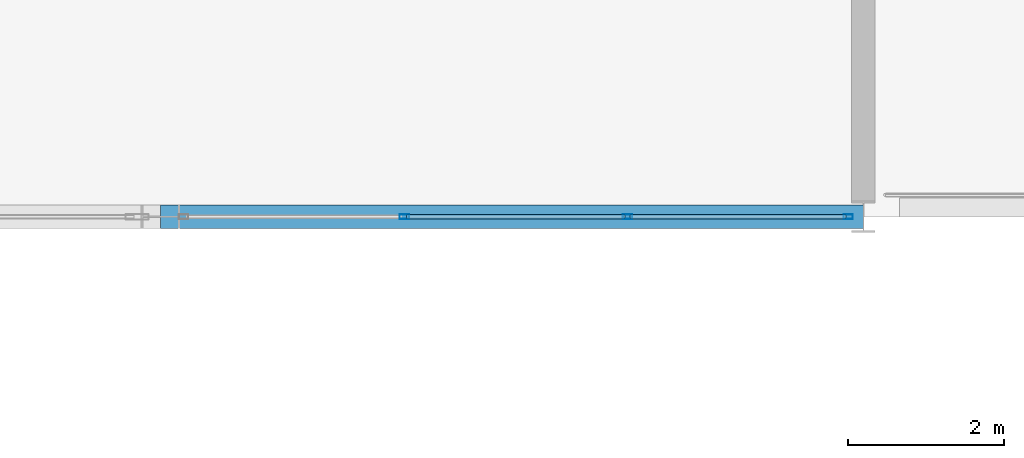
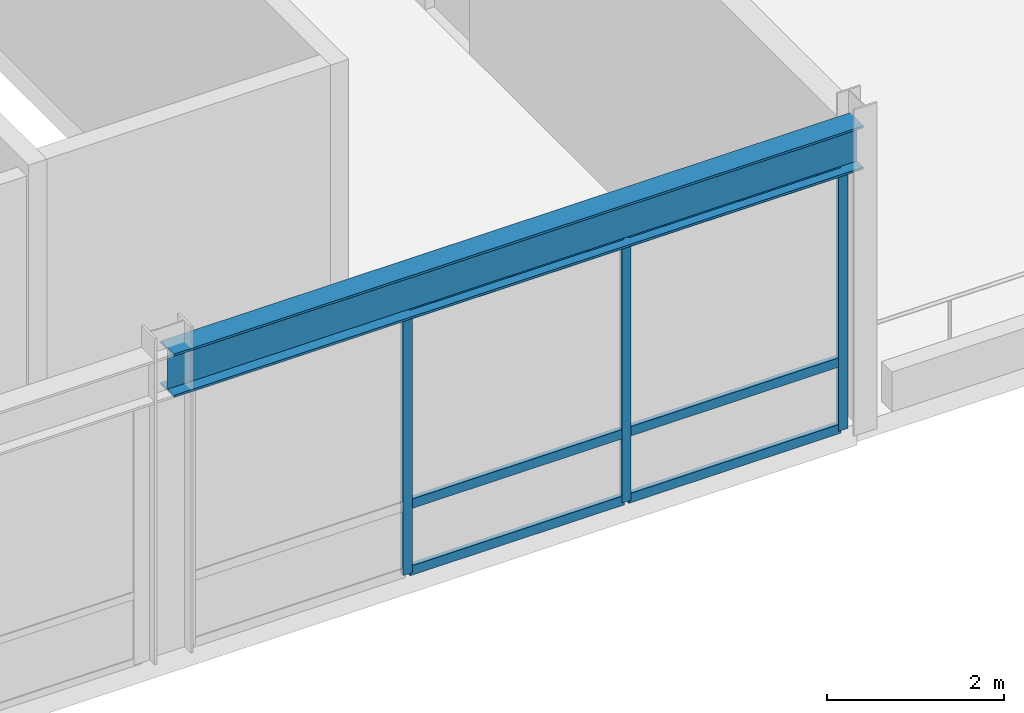
# One storey, part 36 of 67: 9 members, 1 beam, 1 element without a shape of its own.
"""IFC4 building model written with IfcOpenShell, lengths in metres."""

from ifc_helpers import new_model, si_unit, direction, frame, origin, origin_2d, place, context, subcontext, project, spatial, hollow_rectangle, i_section, extrude, material, layer, layer_set, material_profile, profile_set, type_object, element, aggregate, save


model = new_model("IFC4")

# Units and contexts
model_context = context("Model", 3, precision=1e-05, world=origin(), true_north=direction((0.0, 1.0)))
body_context = subcontext(model_context, "Body", "Model", "MODEL_VIEW")
ifc_project = project(units=[si_unit("LENGTHUNIT", "METRE"), si_unit("AREAUNIT", "SQUARE_METRE"), si_unit("VOLUMEUNIT", "CUBIC_METRE"), si_unit("PLANEANGLEUNIT", "RADIAN"), si_unit("MASSUNIT", "GRAM", prefix="KILO")], contexts=[model_context])

# Site, building, storey
site_placement = place(None, origin())
site = spatial("IfcSite", under=ifc_project, at=site_placement, CompositionType="ELEMENT")
building_placement = place(site_placement, origin())
building = spatial("IfcBuilding", under=site, at=building_placement, Name="Montelvaro Courts of Justice", CompositionType="ELEMENT")
storey_placement = place(building_placement, frame((0.0, 0.0, 18.89990234375)))
storey = spatial("IfcBuildingStorey", under=building, at=storey_placement, Name="L04", CompositionType="ELEMENT", Elevation=18.89990234375)

# Beam
ifc_material_1 = material(Name="Steel S355", Category="steel")
ifc_material_profile_1 = material_profile(ifc_material_1, i_section(OverallWidth=0.300048828125, OverallDepth=0.60009765625, WebThickness=0.015380859375, FlangeThickness=0.030029296875, at=origin_2d()), Name="HEB 600")
ifc_profile_set_1 = profile_set([ifc_material_profile_1], Name="Steel S355")
beam_type = type_object("IfcBeamType", Name="Beam_HEB600", PredefinedType="USERDEFINED", material=ifc_profile_set_1)
beam_placement = place(storey_placement, frame((153.0, 78.0, 3.900146484375), z_axis=(1.0, 0.0, 0.0), x_axis=(0.0, 1.0, 0.0)))
element("IfcBeam", 1, at=beam_placement, inside=storey, type_object=beam_type, Name="V2 Roof Eave Girder", ObjectType="GIRDER", PredefinedType="USERDEFINED", context=body_context, shape_type="SweptSolid", body=[
    extrude(i_section(OverallWidth=0.300048828125, OverallDepth=0.60009765625, WebThickness=0.015380859375, FlangeThickness=0.030029296875, at=origin_2d()), origin(), (0.0, 0.0, 1.0), 9.0),
])

# Curtain wall, members
ifc_material_2 = material(Name="Anodised aluminium EN AW-6063", Category="aluminium")
ifc_layer = layer(ifc_material_2, 0.159912109375)
ifc_layer_set = layer_set([ifc_layer], Name="Anodised aluminium EN AW-6063")
curtain_wall_type = type_object("IfcCurtainWallType", Name="CurtainWall_13_857x418", PredefinedType="USERDEFINED", material=ifc_layer_set)
curtain_wall_placement = place(storey_placement, origin())
curtain_wall = element("IfcCurtainWall", 2, at=curtain_wall_placement, inside=storey, type_object=curtain_wall_type, Name="Curtain Wall CW-13 (L04)", ObjectType="CURTAIN WALL", PredefinedType="USERDEFINED")
ifc_material_profile_2 = material_profile(ifc_material_2, hollow_rectangle(XDim=0.06005859375, YDim=0.1201171875, WallThickness=0.00341796875, at=origin_2d()), Name="ALU-M 60x120")
ifc_profile_set_2 = profile_set([ifc_material_profile_2], Name="Anodised aluminium EN AW-6063")
member_type_1 = type_object("IfcMemberType", Name="CurtainWall_Mullion_60x120", PredefinedType="MULLION", material=ifc_profile_set_2)
member_1_placement = place(storey_placement, frame((156.12158203125, 78.0, 0.0), z_axis=(0.0, 0.0, 1.0), x_axis=(0.0, 1.0, 0.0)))
member_1 = element("IfcMember", 3, at=member_1_placement, type_object=member_type_1, Name="CW-13 mullion 2", PredefinedType="MULLION", context=body_context, shape_type="SweptSolid", body=[
    extrude(hollow_rectangle(XDim=0.06005859375, YDim=0.1201171875, WallThickness=0.00341796875, at=origin_2d()), origin(), (0.0, 0.0, 1.0), 3.59521484375),
])
member_2_placement = place(storey_placement, frame((158.978271484375, 78.0, 0.0), z_axis=(0.0, 0.0, 1.0), x_axis=(0.0, 1.0, 0.0)))
member_2 = element("IfcMember", 4, at=member_2_placement, type_object=member_type_1, Name="CW-13 mullion 3", PredefinedType="MULLION", context=body_context, shape_type="SweptSolid", body=[
    extrude(hollow_rectangle(XDim=0.06005859375, YDim=0.1201171875, WallThickness=0.00341796875, at=origin_2d()), origin(), (0.0, 0.0, 1.0), 3.59521484375),
])
member_3_placement = place(storey_placement, frame((161.804931640625, 78.0, 0.0), z_axis=(0.0, 0.0, 1.0), x_axis=(0.0, 1.0, 0.0)))
member_3 = element("IfcMember", 5, at=member_3_placement, type_object=member_type_1, Name="CW-13 mullion 4", PredefinedType="MULLION", context=body_context, shape_type="SweptSolid", body=[
    extrude(hollow_rectangle(XDim=0.06005859375, YDim=0.1201171875, WallThickness=0.00341796875, at=origin_2d()), origin(), (0.0, 0.0, 1.0), 3.59521484375),
])
ifc_material_profile_3 = material_profile(ifc_material_2, hollow_rectangle(XDim=0.06005859375, YDim=0.1298828125, WallThickness=0.00390625, at=origin_2d()), Name="ALU-T 60x130")
ifc_profile_set_3 = profile_set([ifc_material_profile_3], Name="Anodised aluminium EN AW-6063")
member_type_2 = type_object("IfcMemberType", Name="CurtainWall_Transom_60x130", PredefinedType="USERDEFINED", material=ifc_profile_set_3)
member_4_placement = place(storey_placement, frame((156.151611328125, 78.0, 0.030029296875), z_axis=(1.0, 0.0, 0.0), x_axis=(0.0, 1.0, 0.0)))
member_4 = element("IfcMember", 6, at=member_4_placement, type_object=member_type_2, Name="CW-13 transom 2.1", ObjectType="TRANSOM", PredefinedType="USERDEFINED", context=body_context, shape_type="SweptSolid", body=[
    extrude(hollow_rectangle(XDim=0.06005859375, YDim=0.1298828125, WallThickness=0.00390625, at=origin_2d()), origin(), (0.0, 0.0, 1.0), 2.796630859375),
])
member_5_placement = place(storey_placement, frame((156.151611328125, 78.0, 0.9501953125), z_axis=(1.0, 0.0, 0.0), x_axis=(0.0, 1.0, 0.0)))
member_5 = element("IfcMember", 7, at=member_5_placement, type_object=member_type_2, Name="CW-13 transom 2.2", ObjectType="TRANSOM", PredefinedType="USERDEFINED", context=body_context, shape_type="SweptSolid", body=[
    extrude(hollow_rectangle(XDim=0.06005859375, YDim=0.1298828125, WallThickness=0.00390625, at=origin_2d()), origin(), (0.0, 0.0, 1.0), 2.796630859375),
])
member_6_placement = place(storey_placement, frame((156.151611328125, 78.0, 3.565185546875), z_axis=(1.0, 0.0, 0.0), x_axis=(0.0, 1.0, 0.0)))
member_6 = element("IfcMember", 8, at=member_6_placement, type_object=member_type_2, Name="CW-13 transom 2.3", ObjectType="TRANSOM", PredefinedType="USERDEFINED", context=body_context, shape_type="SweptSolid", body=[
    extrude(hollow_rectangle(XDim=0.06005859375, YDim=0.1298828125, WallThickness=0.00390625, at=origin_2d()), origin(), (0.0, 0.0, 1.0), 2.796630859375),
])
member_7_placement = place(storey_placement, frame((159.00830078125, 78.0, 0.030029296875), z_axis=(1.0, 0.0, 0.0), x_axis=(0.0, 1.0, 0.0)))
member_7 = element("IfcMember", 9, at=member_7_placement, type_object=member_type_2, Name="CW-13 transom 3.1", ObjectType="TRANSOM", PredefinedType="USERDEFINED", context=body_context, shape_type="SweptSolid", body=[
    extrude(hollow_rectangle(XDim=0.06005859375, YDim=0.1298828125, WallThickness=0.00390625, at=origin_2d()), origin(), (0.0, 0.0, 1.0), 2.7666015625),
])
member_8_placement = place(storey_placement, frame((159.00830078125, 78.0, 0.9501953125), z_axis=(1.0, 0.0, 0.0), x_axis=(0.0, 1.0, 0.0)))
member_8 = element("IfcMember", 10, at=member_8_placement, type_object=member_type_2, Name="CW-13 transom 3.2", ObjectType="TRANSOM", PredefinedType="USERDEFINED", context=body_context, shape_type="SweptSolid", body=[
    extrude(hollow_rectangle(XDim=0.06005859375, YDim=0.1298828125, WallThickness=0.00390625, at=origin_2d()), origin(), (0.0, 0.0, 1.0), 2.7666015625),
])
member_9_placement = place(storey_placement, frame((159.00830078125, 78.0, 3.565185546875), z_axis=(1.0, 0.0, 0.0), x_axis=(0.0, 1.0, 0.0)))
member_9 = element("IfcMember", 11, at=member_9_placement, type_object=member_type_2, Name="CW-13 transom 3.3", ObjectType="TRANSOM", PredefinedType="USERDEFINED", context=body_context, shape_type="SweptSolid", body=[
    extrude(hollow_rectangle(XDim=0.06005859375, YDim=0.1298828125, WallThickness=0.00390625, at=origin_2d()), origin(), (0.0, 0.0, 1.0), 2.7666015625),
])
aggregate(curtain_wall, [member_1, member_2, member_3, member_4, member_5, member_6, member_7, member_8, member_9])

save(model, "model.ifc")
